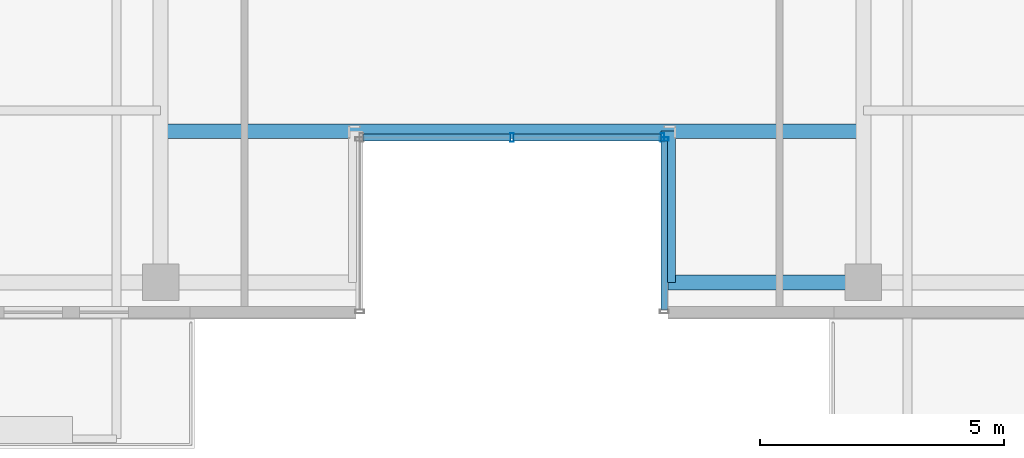
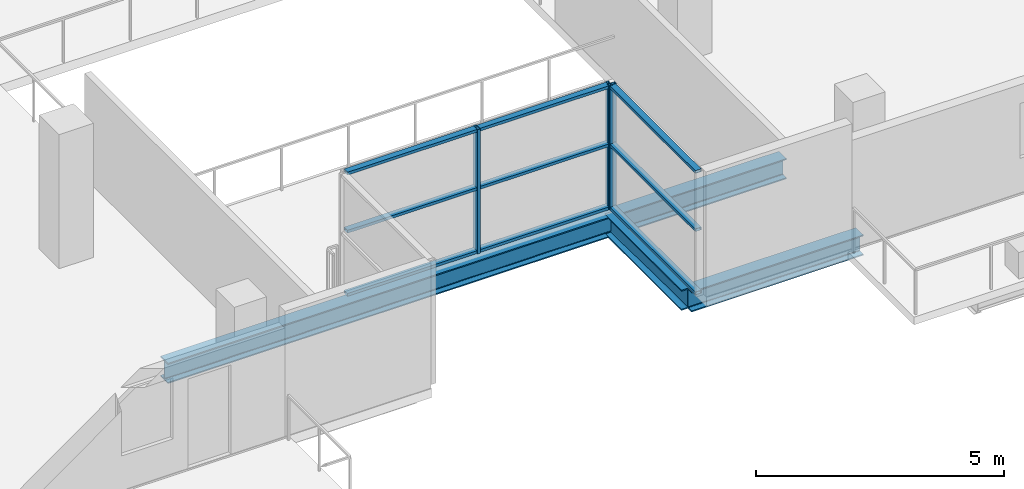
# One storey, part 7 of 25: 12 members, 3 beams, 2 elements without a shape of their own.
"""IFC4 building model written with IfcOpenShell, lengths in metres."""

import ifcopenshell
import ifcopenshell.guid

model = None  # the IFC model being written
_history = None  # IfcOwnerHistory: only IFC2X3 demands one
_inside = {}  # id of a spatial element -> (the spatial element, [elements in it])
_under = {}  # id of a project, library or spatial element -> (it, [spatial elements below it])
_declared = {}  # id of a project -> (the project, [libraries it declares])
_typed = {}  # id of a type object -> (the type object, [elements of that type])
_made_of = {}  # id of a material, layer set ... -> (it, [elements and type objects made of it])


def new_model(schema):
    """Start an empty IFC model of exactly this schema.

    Asked for "IFC4X3", IfcOpenShell would pick the latest addendum, in which some entities
    have other attributes; the version numbers below select the first issue.
    IFC2X3 requires an IfcOwnerHistory on every rooted entity: one is made here for all.
    """
    global model, _history
    if schema == "IFC4X3":
        model = ifcopenshell.file(schema_version=(4, 3, 0, 0))
    else:
        model = ifcopenshell.file(schema=schema)
    _inside.clear()
    _under.clear()
    _declared.clear()
    _typed.clear()
    _made_of.clear()
    _history = None
    if model.schema == "IFC2X3":
        org = make("IfcOrganization", Name="unknown")
        user = make(
            "IfcPersonAndOrganization",
            ThePerson=make("IfcPerson", FamilyName="unknown"),
            TheOrganization=org,
        )
        app = make(
            "IfcApplication",
            ApplicationDeveloper=org,
            Version="unknown",
            ApplicationFullName="unknown",
            ApplicationIdentifier="unknown",
        )
        _history = make(
            "IfcOwnerHistory",
            OwningUser=user,
            OwningApplication=app,
            ChangeAction="ADDED",
            CreationDate=0,
        )
    return model


def make(cls, **values):
    """One entity of the class cls with the attributes given. An attribute that is None is left unset."""
    return model.create_entity(
        cls, **{name: value for name, value in values.items() if value is not None}
    )


def rooted(cls, **values):
    """An entity with a GlobalId (a new one), such as an element, a storey or a relation."""
    return make(cls, GlobalId=ifcopenshell.guid.new(), OwnerHistory=_history, **values)


def si_unit(unit_type, name, prefix=None):
    """IfcSIUnit, for example si_unit("LENGTHUNIT", "METRE", prefix="MILLI")."""
    return make("IfcSIUnit", UnitType=unit_type, Prefix=prefix, Name=name)


def assignment(units):
    """IfcUnitAssignment: the units of a project."""
    return None if units is None else make("IfcUnitAssignment", Units=units)


def point(xyz):
    """IfcCartesianPoint."""
    return None if xyz is None else make("IfcCartesianPoint", Coordinates=xyz)


def direction(xyz):
    """IfcDirection."""
    return None if xyz is None else make("IfcDirection", DirectionRatios=xyz)


def frame(location, z_axis=None, x_axis=None):
    """IfcAxis2Placement3D, a coordinate frame: its origin and axes. An axis left out is left unset."""
    return make(
        "IfcAxis2Placement3D",
        Location=point(location),
        Axis=direction(z_axis),
        RefDirection=direction(x_axis),
    )


def frame_2d(location, x_axis=None):
    """IfcAxis2Placement2D, a coordinate frame in the plane: its origin and x axis."""
    return make(
        "IfcAxis2Placement2D", Location=point(location), RefDirection=direction(x_axis)
    )


def origin():
    """The frame at (0, 0, 0) with its axes left unset."""
    return frame((0.0, 0.0, 0.0))


def origin_2d():
    """The frame at (0, 0) in the plane with its x axis left unset."""
    return frame_2d((0.0, 0.0))


def place(relative_to, where):
    """IfcLocalPlacement: puts the frame where relative to a parent placement (None: the world)."""
    return make(
        "IfcLocalPlacement", PlacementRelTo=relative_to, RelativePlacement=where
    )


def context(
    kind, dimensions, precision=None, world=None, true_north=None, identifier=None
):
    """IfcGeometricRepresentationContext, for example the 3D "Model" context."""
    return make(
        "IfcGeometricRepresentationContext",
        ContextIdentifier=identifier,
        ContextType=kind,
        CoordinateSpaceDimension=dimensions,
        Precision=precision,
        WorldCoordinateSystem=world,
        TrueNorth=true_north,
    )


def subcontext(parent, identifier, kind, view, scale=None):
    """IfcGeometricRepresentationSubContext, for example "Body" below "Model"."""
    return make(
        "IfcGeometricRepresentationSubContext",
        ContextIdentifier=identifier,
        ContextType=kind,
        ParentContext=parent,
        TargetScale=scale,
        TargetView=view,
    )


def project(units=None, contexts=None):
    """IfcProject with its units and contexts."""
    return rooted(
        "IfcProject",
        Name="project",
        RepresentationContexts=contexts,
        UnitsInContext=assignment(units),
    )


def spatial(cls, under=None, at=None, **own):
    """A site, building, storey or space (cls), placed at a placement, below another one or the project."""
    s = rooted(cls, ObjectPlacement=at, **own)
    if under is not None:
        _under.setdefault(under.id(), (under, []))[1].append(s)
    return s


def profile(cls, at=None, kind="AREA", **sizes):
    """A parametric profile (cls). Its sizes go by their IFC names, for example OverallWidth=200.0."""
    return make(cls, ProfileType=kind, Position=at, **sizes)


def hollow_rectangle(**sizes):
    """IfcRectangleHollowProfileDef."""
    return profile("IfcRectangleHollowProfileDef", **sizes)


def i_section(**sizes):
    """IfcIShapeProfileDef."""
    return profile("IfcIShapeProfileDef", **sizes)


def extrude(swept, where, along, depth):
    """IfcExtrudedAreaSolid: the profile swept, set in the frame where, extruded along a direction by depth."""
    return make(
        "IfcExtrudedAreaSolid",
        SweptArea=swept,
        Position=where,
        ExtrudedDirection=direction(along),
        Depth=depth,
    )


def shape(context_of_items, identifier, shape_type, items):
    """IfcShapeRepresentation: the items that make up one representation, for example the "Body"."""
    return make(
        "IfcShapeRepresentation",
        ContextOfItems=context_of_items,
        RepresentationIdentifier=identifier,
        RepresentationType=shape_type,
        Items=items,
    )


def source(mapping_origin, context_of_items, identifier, shape_type, items):
    """IfcRepresentationMap: a shape defined once, which mapped items show again and again."""
    return make(
        "IfcRepresentationMap",
        MappingOrigin=mapping_origin,
        MappedRepresentation=shape(context_of_items, identifier, shape_type, items),
    )


def transform(
    local_origin,
    x_axis=None,
    y_axis=None,
    z_axis=None,
    scale=None,
    scale2=None,
    scale3=None,
    uniform=True,
):
    """IfcCartesianTransformationOperator3D, or its non-uniform kind. x_axis, y_axis, z_axis: its Axis1, 2, 3."""
    if uniform:
        return make(
            "IfcCartesianTransformationOperator3D",
            Axis1=direction(x_axis),
            Axis2=direction(y_axis),
            LocalOrigin=point(local_origin),
            Scale=scale,
            Axis3=direction(z_axis),
        )
    return make(
        "IfcCartesianTransformationOperator3DnonUniform",
        Axis1=direction(x_axis),
        Axis2=direction(y_axis),
        LocalOrigin=point(local_origin),
        Scale=scale,
        Axis3=direction(z_axis),
        Scale2=scale2,
        Scale3=scale3,
    )


def mapped(mapping_source, mapping_target):
    """IfcMappedItem: shows the shape of a source again, moved by a transform."""
    return make(
        "IfcMappedItem", MappingSource=mapping_source, MappingTarget=mapping_target
    )


def material(Name=None, Category=None):
    """IfcMaterial."""
    return make("IfcMaterial", Name=Name, Category=Category)


def layer(
    of_material, thickness, ventilated=None, Name=None, Category=None, Priority=None
):
    """IfcMaterialLayer: one layer of a wall or slab, of a material (None: an air gap)."""
    return make(
        "IfcMaterialLayer",
        Material=of_material,
        LayerThickness=thickness,
        IsVentilated=ventilated,
        Name=Name,
        Category=Category,
        Priority=Priority,
    )


def layer_set(layers, Name=None):
    """IfcMaterialLayerSet."""
    return make("IfcMaterialLayerSet", MaterialLayers=layers, LayerSetName=Name)


def material_profile(
    of_material, cross_section, Name=None, Category=None, Priority=None
):
    """IfcMaterialProfile: a cross section and its material."""
    return make(
        "IfcMaterialProfile",
        Name=Name,
        Material=of_material,
        Profile=cross_section,
        Priority=Priority,
        Category=Category,
    )


def profile_set(profiles, Name=None, composite=None):
    """IfcMaterialProfileSet."""
    return make(
        "IfcMaterialProfileSet",
        Name=Name,
        MaterialProfiles=profiles,
        CompositeProfile=composite,
    )


def made_of(thing, what):
    """Note that an element or type object is made of a material, layer set ...; save() writes the relation."""
    if what is not None:
        _made_of.setdefault(what.id(), (what, []))[1].append(thing)
    return thing


def type_object(cls, material=None, **own):
    """A type object (cls), such as IfcWallType, which elements share."""
    return made_of(rooted(cls, **own), material)


def element(
    cls,
    number,
    at=None,
    inside=None,
    cuts=None,
    type_object=None,
    material=None,
    context=None,
    identifier="Body",
    shape_type=None,
    held_by="IfcProductDefinitionShape",
    body=None,
    shapes=None,
    **own,
):
    """One element of the class cls, such as IfcWall. Its Tag is "e" and its number.

    at: its placement. inside: the storey or other place that contains it. cuts: it is an
    opening in that element (IfcRelVoidsElement). A single representation is given by context,
    identifier, shape_type and body (its items); several are given by shapes. held_by: the class
    of the entity that holds the representations. save() writes the other relations.
    """
    e = rooted(cls, Tag="e%d" % number, ObjectPlacement=at, **own)
    if body is not None:
        shapes = [shape(context, identifier, shape_type, body)]
    if shapes is not None:
        e.Representation = make(held_by, Representations=shapes)
    if inside is not None:
        _inside.setdefault(inside.id(), (inside, []))[1].append(e)
    if cuts is not None:
        rooted(
            "IfcRelVoidsElement", RelatingBuildingElement=cuts, RelatedOpeningElement=e
        )
    if type_object is not None:
        _typed.setdefault(type_object.id(), (type_object, []))[1].append(e)
    return made_of(e, material)


def aggregate(whole, parts):
    """IfcRelAggregates: a whole, such as a stair, and the parts it consists of."""
    return rooted("IfcRelAggregates", RelatingObject=whole, RelatedObjects=parts)


def save(model, path):
    """Write the relations noted so far, then the file.

    IfcRelAggregates (storeys below a building ...), IfcRelContainedInSpatialStructure (elements
    in a storey), IfcRelDefinesByType, IfcRelAssociatesMaterial and IfcRelDeclares: one each for
    every whole, place, type object, material and project.
    """
    for whole, parts in _under.values():
        aggregate(whole, parts)
    for where, things in _inside.values():
        rooted(
            "IfcRelContainedInSpatialStructure",
            RelatedElements=things,
            RelatingStructure=where,
        )
    for kind, things in _typed.values():
        rooted("IfcRelDefinesByType", RelatedObjects=things, RelatingType=kind)
    for what, things in _made_of.values():
        rooted("IfcRelAssociatesMaterial", RelatedObjects=things, RelatingMaterial=what)
    for by, libraries in _declared.values():
        rooted("IfcRelDeclares", RelatingContext=by, RelatedDefinitions=libraries)
    model.write(path)


model = new_model("IFC4")

# Units and contexts
model_context = context("Model", 3, precision=1e-05, world=origin(), true_north=direction((0.0, 1.0)))
body_context = subcontext(model_context, "Body", "Model", "MODEL_VIEW")
ifc_project = project(units=[si_unit("LENGTHUNIT", "METRE"), si_unit("AREAUNIT", "SQUARE_METRE"), si_unit("VOLUMEUNIT", "CUBIC_METRE"), si_unit("PLANEANGLEUNIT", "RADIAN"), si_unit("MASSUNIT", "GRAM", prefix="KILO")], contexts=[model_context])

# Site, building, storey
site_placement = place(None, origin())
site = spatial("IfcSite", under=ifc_project, at=site_placement, CompositionType="ELEMENT")
building_placement = place(site_placement, origin())
building = spatial("IfcBuilding", under=site, at=building_placement, Name="Zarnakvel Exchange Tower", CompositionType="ELEMENT")
storey_placement = place(building_placement, frame((0.0, 0.0, 162.699951171875)))
storey = spatial("IfcBuildingStorey", under=building, at=storey_placement, Name="L45", CompositionType="ELEMENT", Elevation=162.699951171875)

# Beams
ifc_material_1 = material(Name="Steel S355", Category="steel")
ifc_material_profile_1 = material_profile(ifc_material_1, i_section(OverallWidth=0.300048828125, OverallDepth=0.5, WebThickness=0.014404296875, FlangeThickness=0.028076171875, FilletRadius=0.027099609375, at=origin_2d()))
ifc_profile_set_1 = profile_set([ifc_material_profile_1], Name="Steel S355")
beam_type_1 = type_object("IfcBeamType", Name="G-06", PredefinedType="BEAM", material=ifc_profile_set_1)
beam_1_placement = place(storey_placement, frame((3.199951171875, -16.64990234375, -0.474853515625), z_axis=(0.0, 1.0, 0.0), x_axis=(-1.0, 0.0, 0.0)))
element("IfcBeam", 1, at=beam_1_placement, inside=storey, type_object=beam_type_1, Name="L45 South Slot East Cheek Beam", PredefinedType="BEAM", context=body_context, shape_type="SweptSolid", body=[
    extrude(i_section(OverallWidth=0.300048828125, OverallDepth=0.5, WebThickness=0.014404296875, FlangeThickness=0.028076171875, FilletRadius=0.027099609375, at=origin_2d()), origin(), (0.0, 0.0, 1.0), 3.099853515625),
])
ifc_material_profile_2 = material_profile(ifc_material_1, i_section(OverallWidth=0.300048828125, OverallDepth=0.5, WebThickness=0.014404296875, FlangeThickness=0.028076171875, FilletRadius=0.027099609375, at=origin_2d()))
ifc_profile_set_2 = profile_set([ifc_material_profile_2], Name="Steel S355")
beam_type_2 = type_object("IfcBeamType", Name="SP-02", PredefinedType="SPANDREL", material=ifc_profile_set_2)
beam_2_placement = place(storey_placement, frame((3.199951171875, -16.64990234375, -0.474853515625), z_axis=(1.0, 0.0, 0.0), x_axis=(0.0, 1.0, 0.0)))
element("IfcBeam", 2, at=beam_2_placement, inside=storey, type_object=beam_type_2, Name="L45 South Slot East Jamb Spandrel", PredefinedType="SPANDREL", context=body_context, shape_type="SweptSolid", body=[
    extrude(i_section(OverallWidth=0.300048828125, OverallDepth=0.5, WebThickness=0.014404296875, FlangeThickness=0.028076171875, FilletRadius=0.027099609375, at=origin_2d()), origin(), (0.0, 0.0, 1.0), 4.0),
])
beam_3_placement = place(storey_placement, frame((-7.199951171875, -13.550048828125, -0.474853515625), z_axis=(1.0, 0.0, 0.0), x_axis=(0.0, 1.0, 0.0)))
element("IfcBeam", 3, at=beam_3_placement, inside=storey, type_object=beam_type_2, Name="L45 South Slot Head Trimmer Girder", PredefinedType="SPANDREL", context=body_context, shape_type="SweptSolid", body=[
    extrude(i_section(OverallWidth=0.300048828125, OverallDepth=0.5, WebThickness=0.014404296875, FlangeThickness=0.028076171875, FilletRadius=0.027099609375, at=origin_2d()), origin(), (0.0, 0.0, 1.0), 14.39990234375),
])

# Curtain wall, members
ifc_material_2 = material(Name="Architectural Bronze Anodised Aluminium", Category="aluminium")
ifc_layer = layer(ifc_material_2, 0.179931640625)
ifc_layer_set = layer_set([ifc_layer], Name="Architectural Bronze Anodised Aluminium")
curtain_wall_type = type_object("IfcCurtainWallType", Name="CW-05", PredefinedType="NOTDEFINED", material=ifc_layer_set)
curtain_wall_1_placement = place(storey_placement, origin())
curtain_wall_1 = element("IfcCurtainWall", 4, at=curtain_wall_1_placement, inside=storey, type_object=curtain_wall_type, Name="L45 Curtain Wall CW-L45-SLE (CW-05)", PredefinedType="NOTDEFINED")
ifc_material_profile_3 = material_profile(ifc_material_2, hollow_rectangle(XDim=0.139892578125, YDim=0.070068359375, WallThickness=0.00390625, at=origin_2d()))
ifc_profile_set_3 = profile_set([ifc_material_profile_3], Name="Architectural Bronze Anodised Aluminium")
member_type_1 = type_object("IfcMemberType", Name="CWT-05", PredefinedType="USERDEFINED", material=ifc_profile_set_3)
shared_shape_1 = source(origin(), body_context, "Body", "SweptSolid", [
    extrude(hollow_rectangle(XDim=0.139892578125, YDim=0.070068359375, WallThickness=0.00390625, at=origin_2d()), origin(), (0.0, 0.0, 1.0), 3.4599609375),
])
member_1_placement = place(storey_placement, frame((3.1201171875, -13.75, 0.03515625), z_axis=(0.0, -1.0, 0.0), x_axis=(1.0, 0.0, 0.0)))
member_1 = element("IfcMember", 5, at=member_1_placement, type_object=member_type_1, Name="CW-05 transom 1.1", ObjectType="TRANSOM", PredefinedType="USERDEFINED", context=body_context, shape_type="MappedRepresentation", body=[
    mapped(shared_shape_1, transform((0.0, 0.0, 0.0), x_axis=(1.0, 0.0, 0.0), y_axis=(0.0, 1.0, 0.0), z_axis=(0.0, 0.0, 1.0), scale=1.0)),
])
member_2_placement = place(storey_placement, frame((3.1201171875, -13.75, 1.588623046875), z_axis=(0.0, -1.0, 0.0), x_axis=(1.0, 0.0, 0.0)))
member_2 = element("IfcMember", 6, at=member_2_placement, type_object=member_type_1, Name="CW-05 transom 1.2", ObjectType="TRANSOM", PredefinedType="USERDEFINED", context=body_context, shape_type="MappedRepresentation", body=[
    mapped(shared_shape_1, transform((0.0, 0.0, 0.0), x_axis=(1.0, 0.0, 0.0), y_axis=(0.0, 1.0, 0.0), z_axis=(0.0, 0.0, 1.0), scale=1.0)),
])
member_3_placement = place(storey_placement, frame((3.1201171875, -13.75, 3.02001953125), z_axis=(0.0, -1.0, 0.0), x_axis=(1.0, 0.0, 0.0)))
member_3 = element("IfcMember", 7, at=member_3_placement, type_object=member_type_1, Name="CW-05 transom 1.3", ObjectType="TRANSOM", PredefinedType="USERDEFINED", context=body_context, shape_type="MappedRepresentation", body=[
    mapped(shared_shape_1, transform((0.0, 0.0, 0.0), x_axis=(1.0, 0.0, 0.0), y_axis=(0.0, 1.0, 0.0), z_axis=(0.0, 0.0, 1.0), scale=1.0)),
])

curtain_wall_2_placement = place(storey_placement, origin())
curtain_wall_2 = element("IfcCurtainWall", 8, at=curtain_wall_2_placement, inside=storey, type_object=curtain_wall_type, Name="L45 Curtain Wall CW-L45-SLB (CW-05)", PredefinedType="NOTDEFINED")
shared_shape_2 = source(origin(), body_context, "Body", "SweptSolid", [
    extrude(hollow_rectangle(XDim=0.139892578125, YDim=0.070068359375, WallThickness=0.00390625, at=origin_2d()), origin(), (0.0, 0.0, 1.0), 3.01513671875),
])
member_4_placement = place(storey_placement, frame((-3.050048828125, -13.679931640625, 0.03515625), z_axis=(1.0, 0.0, 0.0), x_axis=(0.0, 1.0, 0.0)))
member_4 = element("IfcMember", 9, at=member_4_placement, type_object=member_type_1, Name="CW-05 transom 1.1", ObjectType="TRANSOM", PredefinedType="USERDEFINED", context=body_context, shape_type="MappedRepresentation", body=[
    mapped(shared_shape_2, transform((0.0, 0.0, 0.0), x_axis=(1.0, 0.0, 0.0), y_axis=(0.0, 1.0, 0.0), z_axis=(0.0, 0.0, 1.0), scale=1.0)),
])
member_5_placement = place(storey_placement, frame((-3.050048828125, -13.679931640625, 1.588623046875), z_axis=(1.0, 0.0, 0.0), x_axis=(0.0, 1.0, 0.0)))
member_5 = element("IfcMember", 10, at=member_5_placement, type_object=member_type_1, Name="CW-05 transom 1.2", ObjectType="TRANSOM", PredefinedType="USERDEFINED", context=body_context, shape_type="MappedRepresentation", body=[
    mapped(shared_shape_2, transform((0.0, 0.0, 0.0), x_axis=(1.0, 0.0, 0.0), y_axis=(0.0, 1.0, 0.0), z_axis=(0.0, 0.0, 1.0), scale=1.0)),
])
member_6_placement = place(storey_placement, frame((-3.050048828125, -13.679931640625, 3.02001953125), z_axis=(1.0, 0.0, 0.0), x_axis=(0.0, 1.0, 0.0)))
member_6 = element("IfcMember", 11, at=member_6_placement, type_object=member_type_1, Name="CW-05 transom 1.3", ObjectType="TRANSOM", PredefinedType="USERDEFINED", context=body_context, shape_type="MappedRepresentation", body=[
    mapped(shared_shape_2, transform((0.0, 0.0, 0.0), x_axis=(1.0, 0.0, 0.0), y_axis=(0.0, 1.0, 0.0), z_axis=(0.0, 0.0, 1.0), scale=1.0)),
])
member_7_placement = place(storey_placement, frame((0.034912109375, -13.679931640625, 0.03515625), z_axis=(1.0, 0.0, 0.0), x_axis=(0.0, 1.0, 0.0)))
member_7 = element("IfcMember", 12, at=member_7_placement, type_object=member_type_1, Name="CW-05 transom 2.1", ObjectType="TRANSOM", PredefinedType="USERDEFINED", context=body_context, shape_type="MappedRepresentation", body=[
    mapped(shared_shape_2, transform((0.0, 0.0, 0.0), x_axis=(1.0, 0.0, 0.0), y_axis=(0.0, 1.0, 0.0), z_axis=(0.0, 0.0, 1.0), scale=1.0)),
])
member_8_placement = place(storey_placement, frame((0.034912109375, -13.679931640625, 1.588623046875), z_axis=(1.0, 0.0, 0.0), x_axis=(0.0, 1.0, 0.0)))
member_8 = element("IfcMember", 13, at=member_8_placement, type_object=member_type_1, Name="CW-05 transom 2.2", ObjectType="TRANSOM", PredefinedType="USERDEFINED", context=body_context, shape_type="MappedRepresentation", body=[
    mapped(shared_shape_2, transform((0.0, 0.0, 0.0), x_axis=(1.0, 0.0, 0.0), y_axis=(0.0, 1.0, 0.0), z_axis=(0.0, 0.0, 1.0), scale=1.0)),
])
member_9_placement = place(storey_placement, frame((0.034912109375, -13.679931640625, 3.02001953125), z_axis=(1.0, 0.0, 0.0), x_axis=(0.0, 1.0, 0.0)))
member_9 = element("IfcMember", 14, at=member_9_placement, type_object=member_type_1, Name="CW-05 transom 2.3", ObjectType="TRANSOM", PredefinedType="USERDEFINED", context=body_context, shape_type="MappedRepresentation", body=[
    mapped(shared_shape_2, transform((0.0, 0.0, 0.0), x_axis=(1.0, 0.0, 0.0), y_axis=(0.0, 1.0, 0.0), z_axis=(0.0, 0.0, 1.0), scale=1.0)),
])
ifc_material_profile_4 = material_profile(ifc_material_2, hollow_rectangle(XDim=0.179931640625, YDim=0.070068359375, WallThickness=0.00390625, at=origin_2d()))
ifc_profile_set_4 = profile_set([ifc_material_profile_4], Name="Architectural Bronze Anodised Aluminium")
member_type_2 = type_object("IfcMemberType", Name="CWM-05", PredefinedType="MULLION", material=ifc_profile_set_4)
shared_shape_3 = source(origin(), body_context, "Body", "SweptSolid", [
    extrude(hollow_rectangle(XDim=0.179931640625, YDim=0.070068359375, WallThickness=0.00390625, at=origin_2d()), origin(), (0.0, 0.0, 1.0), 3.054931640625),
])
member_10_placement = place(storey_placement, frame((0.0, -13.679931640625, 0.0), z_axis=(0.0, 0.0, 1.0), x_axis=(0.0, 1.0, 0.0)))
member_10 = element("IfcMember", 15, at=member_10_placement, type_object=member_type_2, Name="CW-05 mullion 2", PredefinedType="MULLION", context=body_context, shape_type="MappedRepresentation", body=[
    mapped(shared_shape_3, transform((0.0, 0.0, 0.0), x_axis=(1.0, 0.0, 0.0), y_axis=(0.0, 1.0, 0.0), z_axis=(0.0, 0.0, 1.0), scale=1.0)),
])
member_11_placement = place(storey_placement, frame((3.0849609375, -13.679931640625, 0.0), z_axis=(0.0, 0.0, 1.0), x_axis=(0.0, 1.0, 0.0)))
member_11 = element("IfcMember", 16, at=member_11_placement, type_object=member_type_2, Name="CW-05 mullion 3", PredefinedType="MULLION", context=body_context, shape_type="MappedRepresentation", body=[
    mapped(shared_shape_3, transform((0.0, 0.0, 0.0), x_axis=(1.0, 0.0, 0.0), y_axis=(0.0, 1.0, 0.0), z_axis=(0.0, 0.0, 1.0), scale=1.0)),
])
aggregate(curtain_wall_2, [member_10, member_11, member_4, member_5, member_6, member_7, member_8, member_9])

# Member
member_12_placement = place(storey_placement, frame((3.1201171875, -13.715087890625, 0.0), z_axis=(0.0, 0.0, 1.0), x_axis=(1.0, 0.0, 0.0)))
member_12 = element("IfcMember", 17, at=member_12_placement, type_object=member_type_2, Name="CW-05 mullion 1", PredefinedType="MULLION", context=body_context, shape_type="MappedRepresentation", body=[
    mapped(shared_shape_3, transform((0.0, 0.0, 0.0), x_axis=(1.0, 0.0, 0.0), y_axis=(0.0, 1.0, 0.0), z_axis=(0.0, 0.0, 1.0), scale=1.0)),
])

aggregate(curtain_wall_1, [member_12, member_1, member_2, member_3])

save(model, "model.ifc")
